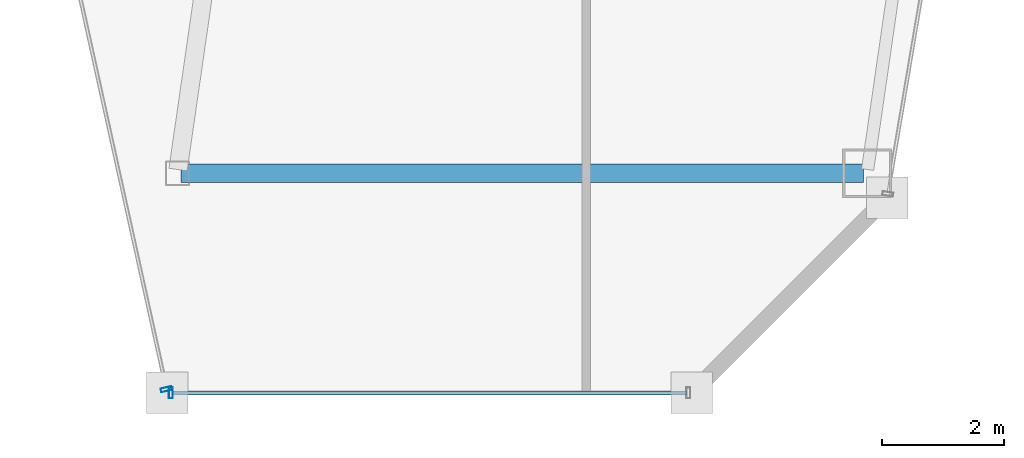
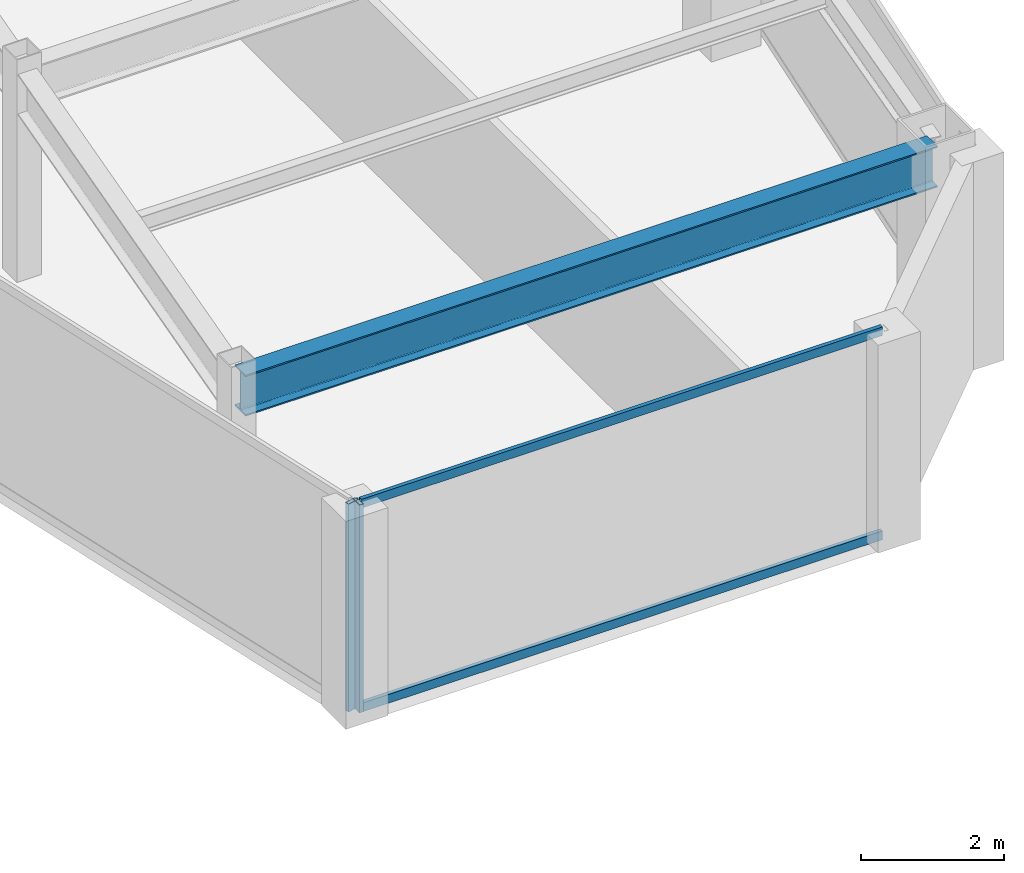
# One storey, part 16 of 35: 4 members, 1 beam, 2 elements without a shape of their own.
"""IFC4 building model written with IfcOpenShell, lengths in metres."""

from ifc_helpers import new_model, si_unit, direction, frame, origin, origin_2d, place, context, subcontext, project, spatial, hollow_rectangle, i_section, extrude, material, material_profile, profile_set, type_object, element, aggregate, save


model = new_model("IFC4")

# Units and contexts
model_context = context("Model", 3, precision=1e-05, world=origin(), true_north=direction((0.0, 1.0)))
body_context = subcontext(model_context, "Body", "Model", "MODEL_VIEW")
ifc_project = project(units=[si_unit("LENGTHUNIT", "METRE"), si_unit("AREAUNIT", "SQUARE_METRE"), si_unit("VOLUMEUNIT", "CUBIC_METRE"), si_unit("PLANEANGLEUNIT", "RADIAN"), si_unit("MASSUNIT", "GRAM", prefix="KILO")], contexts=[model_context])

# Site, building, storey
site_placement = place(None, origin())
site = spatial("IfcSite", under=ifc_project, at=site_placement, CompositionType="ELEMENT")
building_placement = place(site_placement, origin())
building = spatial("IfcBuilding", under=site, at=building_placement, Name="Saevonmaru Cultural Tower", CompositionType="ELEMENT")
storey_placement = place(building_placement, frame((0.0, 0.0, 190.39990234375)))
storey = spatial("IfcBuildingStorey", under=building, at=storey_placement, Name="L43", CompositionType="ELEMENT", Elevation=190.39990234375)

# Beam
ifc_material_1 = material(Name="Steel SM355", Category="steel")
ifc_material_profile_1 = material_profile(ifc_material_1, i_section(OverallWidth=0.300048828125, OverallDepth=0.699951171875, WebThickness=0.012939453125, FlangeThickness=0.02392578125, FilletRadius=0.02587890625, at=origin_2d()), Name="H-700x300x13x24")
ifc_profile_set_1 = profile_set([ifc_material_profile_1], Name="Steel SM355")
beam_type = type_object("IfcBeamType", Name="BM-G-H700", PredefinedType="BEAM", material=ifc_profile_set_1)
beam_placement = place(storey_placement, frame((38.132080078125, 16.0, 3.2001953125), z_axis=(1.0, 0.0, 0.0), x_axis=(0.0, 1.0, 0.0)))
element("IfcBeam", 1, at=beam_placement, inside=storey, type_object=beam_type, Name="L43 East Wing Transverse Girder 1", PredefinedType="BEAM", context=body_context, shape_type="SweptSolid", body=[
    extrude(i_section(OverallWidth=0.300048828125, OverallDepth=0.699951171875, WebThickness=0.012939453125, FlangeThickness=0.02392578125, FilletRadius=0.02587890625, at=origin_2d()), origin(), (0.0, 0.0, 1.0), 11.179931640625),
])

# Curtain wall, member
ifc_material_2 = material(Name="Satin Bronze Anodised Aluminium", Category="aluminium")
curtain_wall_type = type_object("IfcCurtainWallType", Name="CW-TYP-B", PredefinedType="NOTDEFINED", material=ifc_material_2)
curtain_wall_1_placement = place(storey_placement, origin())
curtain_wall_1 = element("IfcCurtainWall", 2, at=curtain_wall_1_placement, inside=storey, type_object=curtain_wall_type, Name="L43 Unitised Curtain Wall E5", PredefinedType="NOTDEFINED")
ifc_material_profile_2 = material_profile(ifc_material_2, hollow_rectangle(XDim=0.06494140625, YDim=0.179931640625, WallThickness=0.00390625, at=origin_2d()), Name="ALU-MULL-180x65x4")
ifc_profile_set_2 = profile_set([ifc_material_profile_2], Name="Satin Bronze Anodised Aluminium")
member_type_1 = type_object("IfcMemberType", Name="ML-CW-180x65", PredefinedType="MULLION", material=ifc_profile_set_2)
member_1_placement = place(storey_placement, frame((37.889404296875, 12.45849609375, 0.0), z_axis=(0.0, 0.0, 1.0), x_axis=(0.215413319953, -0.976522965212, 0.0)))
member_1 = element("IfcMember", 3, at=member_1_placement, type_object=member_type_1, Name="CW-TW-L43-E5 mullion 2", PredefinedType="MULLION", context=body_context, shape_type="SweptSolid", body=[
    extrude(hollow_rectangle(XDim=0.06494140625, YDim=0.179931640625, WallThickness=0.00390625, at=origin_2d()), origin(), (0.0, 0.0, 1.0), 3.550048828125),
])
aggregate(curtain_wall_1, [member_1])

# Curtain wall, members
curtain_wall_2_placement = place(storey_placement, origin())
curtain_wall_2 = element("IfcCurtainWall", 4, at=curtain_wall_2_placement, inside=storey, type_object=curtain_wall_type, Name="L43 Unitised Curtain Wall E6", PredefinedType="NOTDEFINED")
member_2_placement = place(storey_placement, frame((37.962158203125, 12.39990234375, 0.0), z_axis=(0.0, 0.0, 1.0), x_axis=(1.0, 0.0, 0.0)))
member_2 = element("IfcMember", 5, at=member_2_placement, type_object=member_type_1, Name="CW-TW-L43-E6 mullion 1", PredefinedType="MULLION", context=body_context, shape_type="SweptSolid", body=[
    extrude(hollow_rectangle(XDim=0.06494140625, YDim=0.179931640625, WallThickness=0.00390625, at=origin_2d()), origin(), (0.0, 0.0, 1.0), 3.550048828125),
])
ifc_material_profile_3 = material_profile(ifc_material_2, hollow_rectangle(XDim=0.06494140625, YDim=0.14990234375, WallThickness=0.00390625, at=origin_2d()), Name="ALU-TRAN-150x65x4")
ifc_profile_set_3 = profile_set([ifc_material_profile_3], Name="Satin Bronze Anodised Aluminium")
member_type_2 = type_object("IfcMemberType", Name="TR-CW-150x65", PredefinedType="USERDEFINED", material=ifc_profile_set_3)
member_3_placement = place(storey_placement, frame((37.99462890625, 12.39990234375, 0.03271484375), z_axis=(1.0, 0.0, 0.0), x_axis=(0.0, 1.0, 0.0)))
member_3 = element("IfcMember", 6, at=member_3_placement, type_object=member_type_2, Name="CW-TW-L43-E6 transom 1.1", ObjectType="TRANSOM", PredefinedType="USERDEFINED", context=body_context, shape_type="SweptSolid", body=[
    extrude(hollow_rectangle(XDim=0.06494140625, YDim=0.14990234375, WallThickness=0.00390625, at=origin_2d()), origin(), (0.0, 0.0, 1.0), 8.4150390625),
])
member_4_placement = place(storey_placement, frame((37.99462890625, 12.39990234375, 3.517578125), z_axis=(1.0, 0.0, 0.0), x_axis=(0.0, 1.0, 0.0)))
member_4 = element("IfcMember", 7, at=member_4_placement, type_object=member_type_2, Name="CW-TW-L43-E6 transom 1.2", ObjectType="TRANSOM", PredefinedType="USERDEFINED", context=body_context, shape_type="SweptSolid", body=[
    extrude(hollow_rectangle(XDim=0.06494140625, YDim=0.14990234375, WallThickness=0.00390625, at=origin_2d()), origin(), (0.0, 0.0, 1.0), 8.4150390625),
])
aggregate(curtain_wall_2, [member_2, member_3, member_4])

save(model, "model.ifc")
